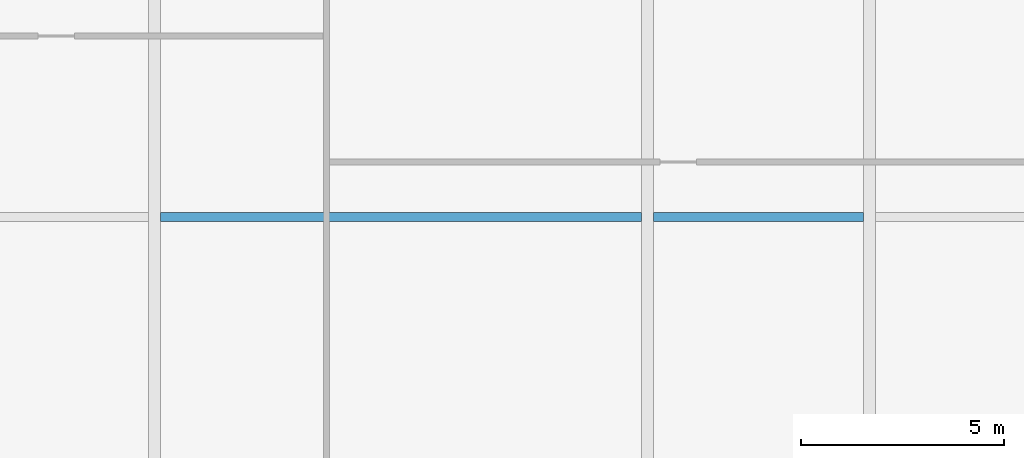
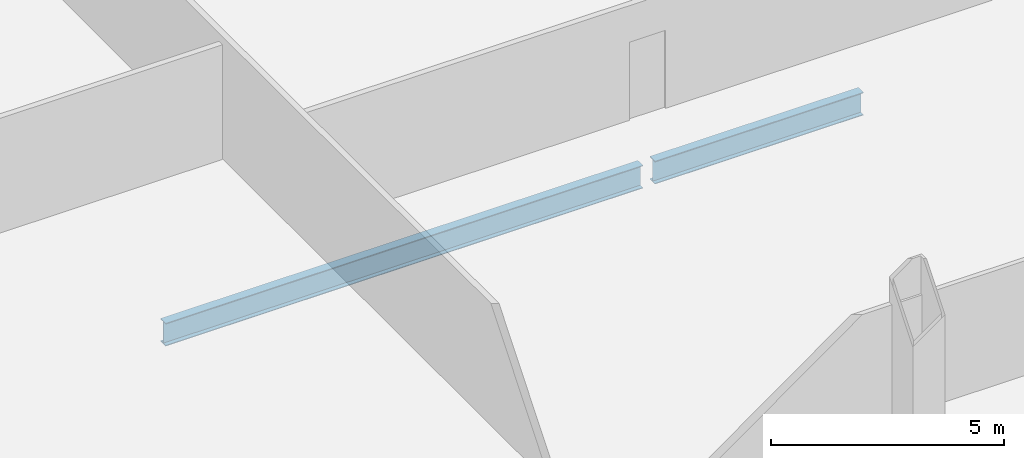
# One storey, part 13 of 35: 2 beams.
"""IFC4 building model written with IfcOpenShell, lengths in metres."""

from ifc_helpers import new_model, si_unit, direction, frame, origin, origin_2d, place, context, subcontext, project, spatial, i_section, extrude, material, material_profile, profile_set, type_object, element, save


model = new_model("IFC4")

# Units and contexts
model_context = context("Model", 3, precision=1e-05, world=origin(), true_north=direction((0.0, 1.0)))
body_context = subcontext(model_context, "Body", "Model", "MODEL_VIEW")
ifc_project = project(units=[si_unit("LENGTHUNIT", "METRE"), si_unit("AREAUNIT", "SQUARE_METRE"), si_unit("VOLUMEUNIT", "CUBIC_METRE"), si_unit("PLANEANGLEUNIT", "RADIAN"), si_unit("MASSUNIT", "GRAM", prefix="KILO")], contexts=[model_context])

# Site, building, storey
site_placement = place(None, origin())
site = spatial("IfcSite", under=ifc_project, at=site_placement, CompositionType="ELEMENT")
building_placement = place(site_placement, origin())
building = spatial("IfcBuilding", under=site, at=building_placement, Name="Khoronbel Lancet Exchange", CompositionType="ELEMENT")
storey_placement = place(building_placement, frame((0.0, 0.0, 53.800048828125)))
storey = spatial("IfcBuildingStorey", under=building, at=storey_placement, Name="L12", CompositionType="ELEMENT", Elevation=53.800048828125)

# Beams
ifc_material = material(Name="Steel S355", Category="steel")
ifc_material_profile = material_profile(ifc_material, i_section(OverallWidth=0.219970703125, OverallDepth=0.60009765625, WebThickness=0.011962890625, FlangeThickness=0.01904296875, at=origin_2d()), Name="IPE 600")
ifc_profile_set = profile_set([ifc_material_profile], Name="Steel S355")
beam_type = type_object("IfcBeamType", Name="BM-BJ1", PredefinedType="JOIST", material=ifc_profile_set)
beam_1_placement = place(storey_placement, frame((30.52490234375, 21.800048828125, -0.47998046875), z_axis=(1.0, 0.0, 0.0), x_axis=(0.0, 1.0, 0.0)))
element("IfcBeam", 1, at=beam_1_placement, inside=storey, type_object=beam_type, Name="Level L12 secondary composite joist J08", PredefinedType="JOIST", context=body_context, shape_type="SweptSolid", body=[
    extrude(i_section(OverallWidth=0.219970703125, OverallDepth=0.60009765625, WebThickness=0.011962890625, FlangeThickness=0.01904296875, at=origin_2d()), origin(), (0.0, 0.0, 1.0), 11.85009765625),
])
beam_2_placement = place(storey_placement, frame((42.675048828125, 21.800048828125, -0.47998046875), z_axis=(1.0, 0.0, 0.0), x_axis=(0.0, 1.0, 0.0)))
element("IfcBeam", 2, at=beam_2_placement, inside=storey, type_object=beam_type, Name="Level L12 secondary composite joist J09", PredefinedType="JOIST", context=body_context, shape_type="SweptSolid", body=[
    extrude(i_section(OverallWidth=0.219970703125, OverallDepth=0.60009765625, WebThickness=0.011962890625, FlangeThickness=0.01904296875, at=origin_2d()), origin(), (0.0, 0.0, 1.0), 5.175048828125),
])

save(model, "model.ifc")
